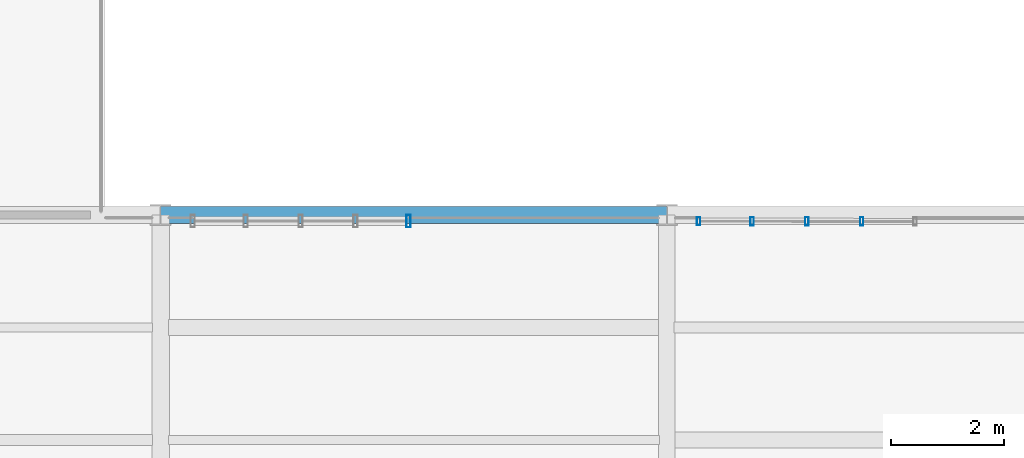
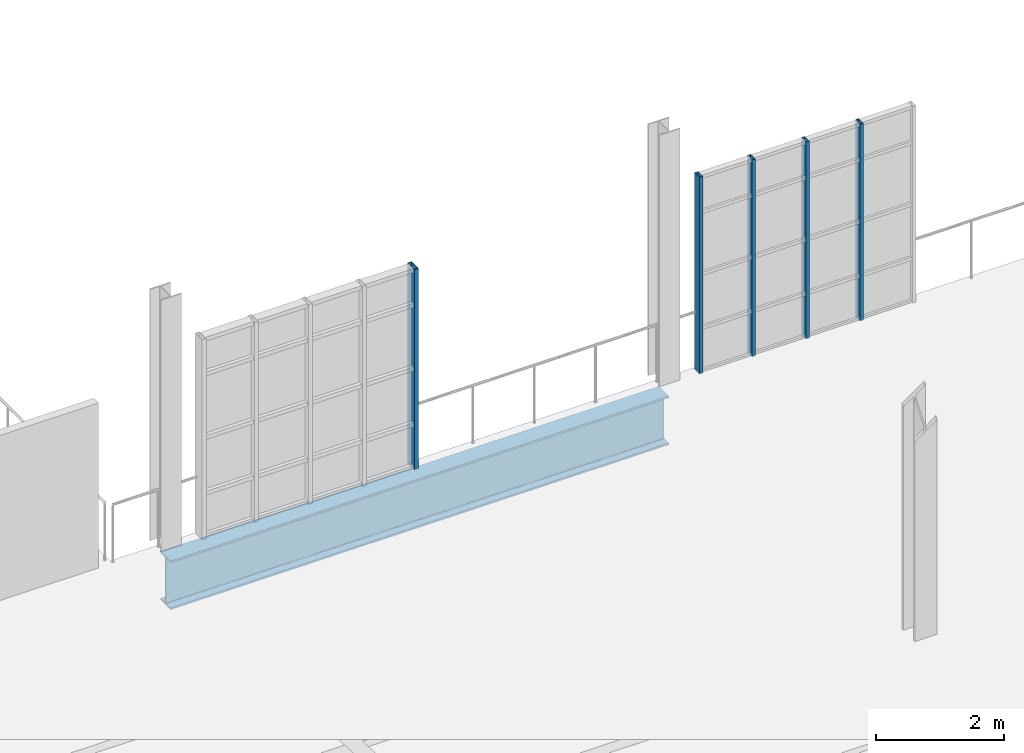
# One storey, part 42 of 122: 5 members, 1 beam, 2 elements without a shape of their own.
"""IFC4 building model written with IfcOpenShell, lengths in metres."""

from ifc_helpers import new_model, si_unit, direction, frame, origin, origin_2d, place, context, subcontext, project, spatial, hollow_rectangle, i_section, extrude, material, layer, layer_set, material_profile, profile_set, type_object, element, aggregate, save


model = new_model("IFC4")

# Units and contexts
model_context = context("Model", 3, precision=1e-05, world=origin(), true_north=direction((0.0, 1.0)))
body_context = subcontext(model_context, "Body", "Model", "MODEL_VIEW")
ifc_project = project(units=[si_unit("LENGTHUNIT", "METRE"), si_unit("AREAUNIT", "SQUARE_METRE"), si_unit("VOLUMEUNIT", "CUBIC_METRE"), si_unit("PLANEANGLEUNIT", "RADIAN"), si_unit("MASSUNIT", "GRAM", prefix="KILO"), si_unit("THERMODYNAMICTEMPERATUREUNIT", "KELVIN"), si_unit("POWERUNIT", "WATT")], contexts=[model_context])

# Site, building, storey
site_placement = place(None, origin())
site = spatial("IfcSite", under=ifc_project, at=site_placement, CompositionType="ELEMENT")
building_placement = place(site_placement, origin())
building = spatial("IfcBuilding", under=site, at=building_placement, Name="Zelmaris Science Centre", CompositionType="ELEMENT")
storey_placement = place(building_placement, frame((0.0, 0.0, 10.800048828125)))
storey = spatial("IfcBuildingStorey", under=building, at=storey_placement, Name="L02", CompositionType="ELEMENT", Elevation=10.800048828125)

# Curtain wall, members
ifc_material_1 = material(Name="Anodised architectural aluminium 6063-T6", Category="aluminium")
ifc_layer_1 = layer(ifc_material_1, 0.219970703125, Name="Anodised architectural aluminium 6063-T6")
ifc_layer_set_1 = layer_set([ifc_layer_1], Name="Anodised architectural aluminium 6063-T6")
curtain_wall_type_1 = type_object("IfcCurtainWallType", Name="Curtain Wall CW-04", PredefinedType="USERDEFINED", material=ifc_layer_set_1)
curtain_wall_1_placement = place(storey_placement, origin())
curtain_wall_1 = element("IfcCurtainWall", 1, at=curtain_wall_1_placement, inside=storey, type_object=curtain_wall_type_1, Name="L02 Unitised curtain wall 220", ObjectType="GLAZED CURTAIN WALL", PredefinedType="USERDEFINED")
ifc_material_profile_1 = material_profile(ifc_material_1, hollow_rectangle(XDim=0.06005859375, YDim=0.14990234375, WallThickness=0.00341796875, at=origin_2d()), Name="ALU-MUL-60X150")
ifc_profile_set_1 = profile_set([ifc_material_profile_1], Name="Anodised architectural aluminium 6063-T6")
member_type_1 = type_object("IfcMemberType", Name="ALU-MUL-60X150", PredefinedType="MULLION", material=ifc_profile_set_1)
member_1_placement = place(storey_placement, frame((126.56591796875, 55.888427734375, -0.01513671875), z_axis=(0.0, 0.0, 1.0), x_axis=(0.99999988059, -0.000488692171, 0.0)))
member_1 = element("IfcMember", 2, at=member_1_placement, type_object=member_type_1, Name="CW-04 mullion 1", PredefinedType="MULLION", context=body_context, shape_type="SweptSolid", body=[
    extrude(hollow_rectangle(XDim=0.06005859375, YDim=0.14990234375, WallThickness=0.00341796875, at=origin_2d()), origin(), (0.0, 0.0, 1.0), 3.76318359375),
])
member_2_placement = place(storey_placement, frame((127.514892578125, 55.887939453125, -0.01513671875), z_axis=(0.0, 0.0, 1.0), x_axis=(0.99999988059, -0.000488692171, 0.0)))
member_2 = element("IfcMember", 3, at=member_2_placement, type_object=member_type_1, Name="CW-04 mullion 2", PredefinedType="MULLION", context=body_context, shape_type="SweptSolid", body=[
    extrude(hollow_rectangle(XDim=0.06005859375, YDim=0.14990234375, WallThickness=0.00341796875, at=origin_2d()), origin(), (0.0, 0.0, 1.0), 3.76318359375),
])
member_3_placement = place(storey_placement, frame((128.489990234375, 55.887451171875, -0.01513671875), z_axis=(0.0, 0.0, 1.0), x_axis=(0.99999988059, -0.000488692171, 0.0)))
member_3 = element("IfcMember", 4, at=member_3_placement, type_object=member_type_1, Name="CW-04 mullion 3", PredefinedType="MULLION", context=body_context, shape_type="SweptSolid", body=[
    extrude(hollow_rectangle(XDim=0.06005859375, YDim=0.14990234375, WallThickness=0.00341796875, at=origin_2d()), origin(), (0.0, 0.0, 1.0), 3.76318359375),
])
member_4_placement = place(storey_placement, frame((129.46484375, 55.886962890625, -0.01513671875), z_axis=(0.0, 0.0, 1.0), x_axis=(0.99999988059, -0.000488692171, 0.0)))
member_4 = element("IfcMember", 5, at=member_4_placement, type_object=member_type_1, Name="CW-04 mullion 4", PredefinedType="MULLION", context=body_context, shape_type="SweptSolid", body=[
    extrude(hollow_rectangle(XDim=0.06005859375, YDim=0.14990234375, WallThickness=0.00341796875, at=origin_2d()), origin(), (0.0, 0.0, 1.0), 3.76318359375),
])
aggregate(curtain_wall_1, [member_1, member_2, member_3, member_4])

# Curtain wall, member
ifc_layer_2 = layer(ifc_material_1, 0.199951171875, Name="Anodised architectural aluminium 6063-T6")
ifc_layer_set_2 = layer_set([ifc_layer_2], Name="Anodised architectural aluminium 6063-T6")
curtain_wall_type_2 = type_object("IfcCurtainWallType", Name="Curtain Wall CW-02", PredefinedType="USERDEFINED", material=ifc_layer_set_2)
curtain_wall_2_placement = place(storey_placement, origin())
curtain_wall_2 = element("IfcCurtainWall", 6, at=curtain_wall_2_placement, inside=storey, type_object=curtain_wall_type_2, Name="L02 Unitised curtain wall 218", ObjectType="GLAZED CURTAIN WALL", PredefinedType="USERDEFINED")
ifc_material_profile_2 = material_profile(ifc_material_1, hollow_rectangle(XDim=0.074951171875, YDim=0.219970703125, WallThickness=0.0048828125, at=origin_2d()), Name="ALU-MUL-75X220")
ifc_profile_set_2 = profile_set([ifc_material_profile_2], Name="Anodised architectural aluminium 6063-T6")
member_type_2 = type_object("IfcMemberType", Name="ALU-MUL-75X220", PredefinedType="MULLION", material=ifc_profile_set_2)
member_5_placement = place(storey_placement, frame((121.406494140625, 55.89111328125, -0.01513671875), z_axis=(0.0, 0.0, 1.0), x_axis=(0.99999988059, -0.000488692171, 0.0)))
member_5 = element("IfcMember", 7, at=member_5_placement, type_object=member_type_2, Name="CW-02 mullion 5", PredefinedType="MULLION", context=body_context, shape_type="SweptSolid", body=[
    extrude(hollow_rectangle(XDim=0.074951171875, YDim=0.219970703125, WallThickness=0.0048828125, at=origin_2d()), origin(), (0.0, 0.0, 1.0), 3.8271484375),
])
aggregate(curtain_wall_2, [member_5])

# Beam
ifc_material_2 = material(Name="Steel ASTM A992 Grade 50", Category="steel")
ifc_material_profile_3 = material_profile(ifc_material_2, i_section(OverallWidth=0.31005859375, OverallDepth=0.931884765625, WebThickness=0.02099609375, FlangeThickness=0.034423828125, FilletRadius=0.02392578125, at=origin_2d()), Name="W36X210")
ifc_profile_set_3 = profile_set([ifc_material_profile_3], Name="Steel ASTM A992 Grade 50")
beam_type = type_object("IfcBeamType", Name="Beam G-25 W36X210", PredefinedType="BEAM", material=ifc_profile_set_3)
beam_placement = place(storey_placement, frame((117.0, 56.0, -0.72607421875), z_axis=(1.0, 0.0, 0.0), x_axis=(0.0, 1.0, 0.0)))
element("IfcBeam", 8, at=beam_placement, inside=storey, type_object=beam_type, Name="L02 East-west girder 572", PredefinedType="BEAM", context=body_context, shape_type="SweptSolid", body=[
    extrude(i_section(OverallWidth=0.31005859375, OverallDepth=0.931884765625, WebThickness=0.02099609375, FlangeThickness=0.034423828125, FilletRadius=0.02392578125, at=origin_2d()), origin(), (0.0, 0.0, 1.0), 9.0),
])

save(model, "model.ifc")
